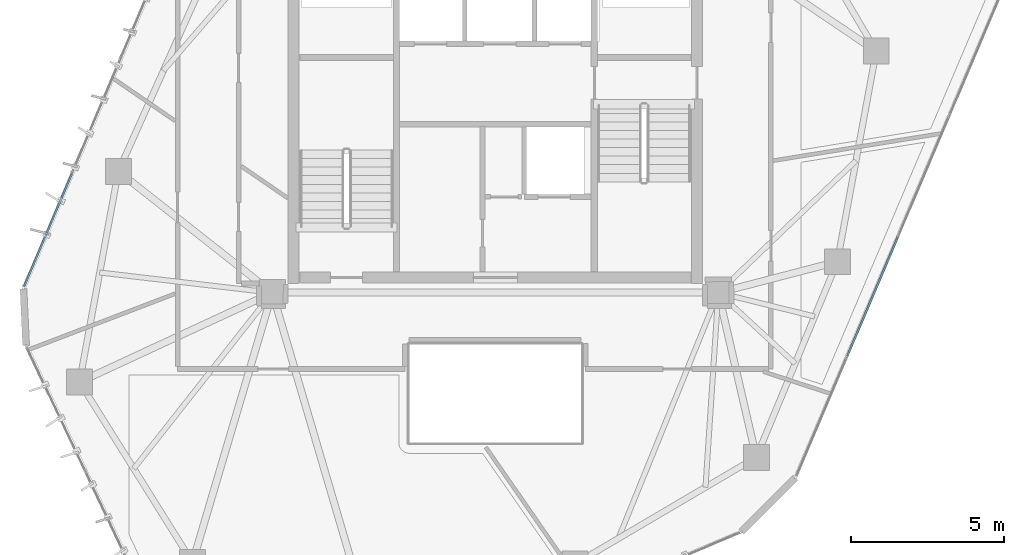
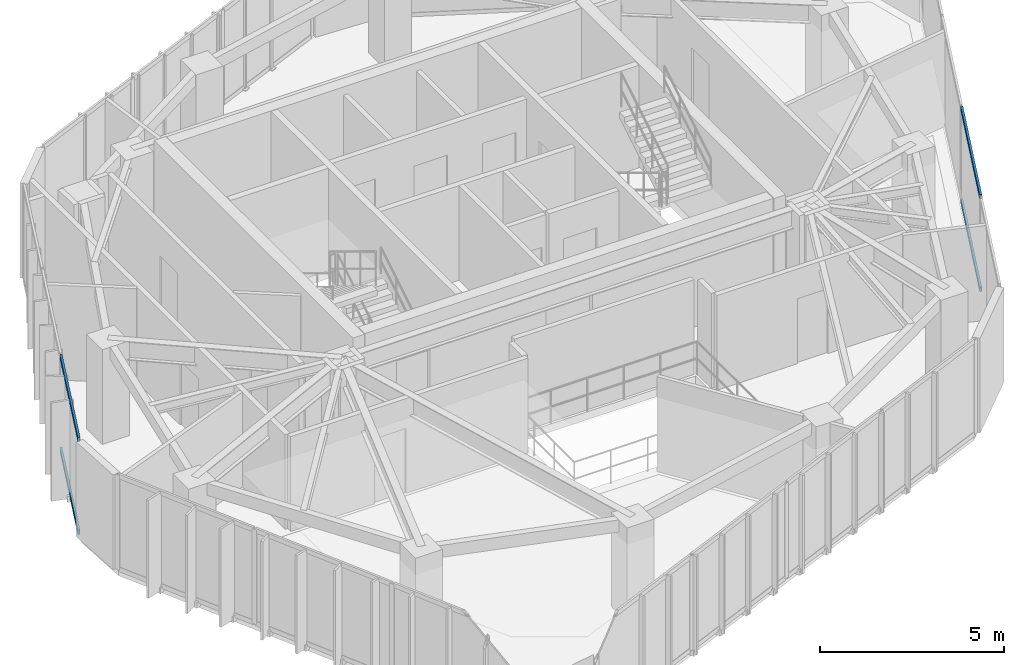
# One storey, part 7 of 20: 4 members, 2 elements without a shape of their own.
"""IFC4 building model written with IfcOpenShell, lengths in metres."""

import ifcopenshell
import ifcopenshell.guid

model = None  # the IFC model being written
_history = None  # IfcOwnerHistory: only IFC2X3 demands one
_inside = {}  # id of a spatial element -> (the spatial element, [elements in it])
_under = {}  # id of a project, library or spatial element -> (it, [spatial elements below it])
_declared = {}  # id of a project -> (the project, [libraries it declares])
_typed = {}  # id of a type object -> (the type object, [elements of that type])
_made_of = {}  # id of a material, layer set ... -> (it, [elements and type objects made of it])


def new_model(schema):
    """Start an empty IFC model of exactly this schema.

    Asked for "IFC4X3", IfcOpenShell would pick the latest addendum, in which some entities
    have other attributes; the version numbers below select the first issue.
    IFC2X3 requires an IfcOwnerHistory on every rooted entity: one is made here for all.
    """
    global model, _history
    if schema == "IFC4X3":
        model = ifcopenshell.file(schema_version=(4, 3, 0, 0))
    else:
        model = ifcopenshell.file(schema=schema)
    _inside.clear()
    _under.clear()
    _declared.clear()
    _typed.clear()
    _made_of.clear()
    _history = None
    if model.schema == "IFC2X3":
        org = make("IfcOrganization", Name="unknown")
        user = make(
            "IfcPersonAndOrganization",
            ThePerson=make("IfcPerson", FamilyName="unknown"),
            TheOrganization=org,
        )
        app = make(
            "IfcApplication",
            ApplicationDeveloper=org,
            Version="unknown",
            ApplicationFullName="unknown",
            ApplicationIdentifier="unknown",
        )
        _history = make(
            "IfcOwnerHistory",
            OwningUser=user,
            OwningApplication=app,
            ChangeAction="ADDED",
            CreationDate=0,
        )
    return model


def make(cls, **values):
    """One entity of the class cls with the attributes given. An attribute that is None is left unset."""
    return model.create_entity(
        cls, **{name: value for name, value in values.items() if value is not None}
    )


def rooted(cls, **values):
    """An entity with a GlobalId (a new one), such as an element, a storey or a relation."""
    return make(cls, GlobalId=ifcopenshell.guid.new(), OwnerHistory=_history, **values)


def si_unit(unit_type, name, prefix=None):
    """IfcSIUnit, for example si_unit("LENGTHUNIT", "METRE", prefix="MILLI")."""
    return make("IfcSIUnit", UnitType=unit_type, Prefix=prefix, Name=name)


def assignment(units):
    """IfcUnitAssignment: the units of a project."""
    return None if units is None else make("IfcUnitAssignment", Units=units)


def point(xyz):
    """IfcCartesianPoint."""
    return None if xyz is None else make("IfcCartesianPoint", Coordinates=xyz)


def direction(xyz):
    """IfcDirection."""
    return None if xyz is None else make("IfcDirection", DirectionRatios=xyz)


def frame(location, z_axis=None, x_axis=None):
    """IfcAxis2Placement3D, a coordinate frame: its origin and axes. An axis left out is left unset."""
    return make(
        "IfcAxis2Placement3D",
        Location=point(location),
        Axis=direction(z_axis),
        RefDirection=direction(x_axis),
    )


def frame_2d(location, x_axis=None):
    """IfcAxis2Placement2D, a coordinate frame in the plane: its origin and x axis."""
    return make(
        "IfcAxis2Placement2D", Location=point(location), RefDirection=direction(x_axis)
    )


def origin():
    """The frame at (0, 0, 0) with its axes left unset."""
    return frame((0.0, 0.0, 0.0))


def origin_2d():
    """The frame at (0, 0) in the plane with its x axis left unset."""
    return frame_2d((0.0, 0.0))


def place(relative_to, where):
    """IfcLocalPlacement: puts the frame where relative to a parent placement (None: the world)."""
    return make(
        "IfcLocalPlacement", PlacementRelTo=relative_to, RelativePlacement=where
    )


def context(
    kind, dimensions, precision=None, world=None, true_north=None, identifier=None
):
    """IfcGeometricRepresentationContext, for example the 3D "Model" context."""
    return make(
        "IfcGeometricRepresentationContext",
        ContextIdentifier=identifier,
        ContextType=kind,
        CoordinateSpaceDimension=dimensions,
        Precision=precision,
        WorldCoordinateSystem=world,
        TrueNorth=true_north,
    )


def subcontext(parent, identifier, kind, view, scale=None):
    """IfcGeometricRepresentationSubContext, for example "Body" below "Model"."""
    return make(
        "IfcGeometricRepresentationSubContext",
        ContextIdentifier=identifier,
        ContextType=kind,
        ParentContext=parent,
        TargetScale=scale,
        TargetView=view,
    )


def project(units=None, contexts=None):
    """IfcProject with its units and contexts."""
    return rooted(
        "IfcProject",
        Name="project",
        RepresentationContexts=contexts,
        UnitsInContext=assignment(units),
    )


def spatial(cls, under=None, at=None, **own):
    """A site, building, storey or space (cls), placed at a placement, below another one or the project."""
    s = rooted(cls, ObjectPlacement=at, **own)
    if under is not None:
        _under.setdefault(under.id(), (under, []))[1].append(s)
    return s


def profile(cls, at=None, kind="AREA", **sizes):
    """A parametric profile (cls). Its sizes go by their IFC names, for example OverallWidth=200.0."""
    return make(cls, ProfileType=kind, Position=at, **sizes)


def hollow_rectangle(**sizes):
    """IfcRectangleHollowProfileDef."""
    return profile("IfcRectangleHollowProfileDef", **sizes)


def extrude(swept, where, along, depth):
    """IfcExtrudedAreaSolid: the profile swept, set in the frame where, extruded along a direction by depth."""
    return make(
        "IfcExtrudedAreaSolid",
        SweptArea=swept,
        Position=where,
        ExtrudedDirection=direction(along),
        Depth=depth,
    )


def shape(context_of_items, identifier, shape_type, items):
    """IfcShapeRepresentation: the items that make up one representation, for example the "Body"."""
    return make(
        "IfcShapeRepresentation",
        ContextOfItems=context_of_items,
        RepresentationIdentifier=identifier,
        RepresentationType=shape_type,
        Items=items,
    )


def source(mapping_origin, context_of_items, identifier, shape_type, items):
    """IfcRepresentationMap: a shape defined once, which mapped items show again and again."""
    return make(
        "IfcRepresentationMap",
        MappingOrigin=mapping_origin,
        MappedRepresentation=shape(context_of_items, identifier, shape_type, items),
    )


def transform(
    local_origin,
    x_axis=None,
    y_axis=None,
    z_axis=None,
    scale=None,
    scale2=None,
    scale3=None,
    uniform=True,
):
    """IfcCartesianTransformationOperator3D, or its non-uniform kind. x_axis, y_axis, z_axis: its Axis1, 2, 3."""
    if uniform:
        return make(
            "IfcCartesianTransformationOperator3D",
            Axis1=direction(x_axis),
            Axis2=direction(y_axis),
            LocalOrigin=point(local_origin),
            Scale=scale,
            Axis3=direction(z_axis),
        )
    return make(
        "IfcCartesianTransformationOperator3DnonUniform",
        Axis1=direction(x_axis),
        Axis2=direction(y_axis),
        LocalOrigin=point(local_origin),
        Scale=scale,
        Axis3=direction(z_axis),
        Scale2=scale2,
        Scale3=scale3,
    )


def mapped(mapping_source, mapping_target):
    """IfcMappedItem: shows the shape of a source again, moved by a transform."""
    return make(
        "IfcMappedItem", MappingSource=mapping_source, MappingTarget=mapping_target
    )


def material(Name=None, Category=None):
    """IfcMaterial."""
    return make("IfcMaterial", Name=Name, Category=Category)


def layer(
    of_material, thickness, ventilated=None, Name=None, Category=None, Priority=None
):
    """IfcMaterialLayer: one layer of a wall or slab, of a material (None: an air gap)."""
    return make(
        "IfcMaterialLayer",
        Material=of_material,
        LayerThickness=thickness,
        IsVentilated=ventilated,
        Name=Name,
        Category=Category,
        Priority=Priority,
    )


def layer_set(layers, Name=None):
    """IfcMaterialLayerSet."""
    return make("IfcMaterialLayerSet", MaterialLayers=layers, LayerSetName=Name)


def material_profile(
    of_material, cross_section, Name=None, Category=None, Priority=None
):
    """IfcMaterialProfile: a cross section and its material."""
    return make(
        "IfcMaterialProfile",
        Name=Name,
        Material=of_material,
        Profile=cross_section,
        Priority=Priority,
        Category=Category,
    )


def profile_set(profiles, Name=None, composite=None):
    """IfcMaterialProfileSet."""
    return make(
        "IfcMaterialProfileSet",
        Name=Name,
        MaterialProfiles=profiles,
        CompositeProfile=composite,
    )


def made_of(thing, what):
    """Note that an element or type object is made of a material, layer set ...; save() writes the relation."""
    if what is not None:
        _made_of.setdefault(what.id(), (what, []))[1].append(thing)
    return thing


def type_object(cls, material=None, **own):
    """A type object (cls), such as IfcWallType, which elements share."""
    return made_of(rooted(cls, **own), material)


def type_shapes(of_type, sources):
    """Give a type object the sources (RepresentationMaps) that its elements show as mapped items."""
    of_type.RepresentationMaps = sources


def element(
    cls,
    number,
    at=None,
    inside=None,
    cuts=None,
    type_object=None,
    material=None,
    context=None,
    identifier="Body",
    shape_type=None,
    held_by="IfcProductDefinitionShape",
    body=None,
    shapes=None,
    **own,
):
    """One element of the class cls, such as IfcWall. Its Tag is "e" and its number.

    at: its placement. inside: the storey or other place that contains it. cuts: it is an
    opening in that element (IfcRelVoidsElement). A single representation is given by context,
    identifier, shape_type and body (its items); several are given by shapes. held_by: the class
    of the entity that holds the representations. save() writes the other relations.
    """
    e = rooted(cls, Tag="e%d" % number, ObjectPlacement=at, **own)
    if body is not None:
        shapes = [shape(context, identifier, shape_type, body)]
    if shapes is not None:
        e.Representation = make(held_by, Representations=shapes)
    if inside is not None:
        _inside.setdefault(inside.id(), (inside, []))[1].append(e)
    if cuts is not None:
        rooted(
            "IfcRelVoidsElement", RelatingBuildingElement=cuts, RelatedOpeningElement=e
        )
    if type_object is not None:
        _typed.setdefault(type_object.id(), (type_object, []))[1].append(e)
    return made_of(e, material)


def aggregate(whole, parts):
    """IfcRelAggregates: a whole, such as a stair, and the parts it consists of."""
    return rooted("IfcRelAggregates", RelatingObject=whole, RelatedObjects=parts)


def save(model, path):
    """Write the relations noted so far, then the file.

    IfcRelAggregates (storeys below a building ...), IfcRelContainedInSpatialStructure (elements
    in a storey), IfcRelDefinesByType, IfcRelAssociatesMaterial and IfcRelDeclares: one each for
    every whole, place, type object, material and project.
    """
    for whole, parts in _under.values():
        aggregate(whole, parts)
    for where, things in _inside.values():
        rooted(
            "IfcRelContainedInSpatialStructure",
            RelatedElements=things,
            RelatingStructure=where,
        )
    for kind, things in _typed.values():
        rooted("IfcRelDefinesByType", RelatedObjects=things, RelatingType=kind)
    for what, things in _made_of.values():
        rooted("IfcRelAssociatesMaterial", RelatedObjects=things, RelatingMaterial=what)
    for by, libraries in _declared.values():
        rooted("IfcRelDeclares", RelatingContext=by, RelatedDefinitions=libraries)
    model.write(path)


model = new_model("IFC4")

# Units and contexts
model_context = context("Model", 3, precision=1e-05, world=origin(), true_north=direction((0.0, 1.0)))
body_context = subcontext(model_context, "Body", "Model", "MODEL_VIEW")
ifc_project = project(units=[si_unit("LENGTHUNIT", "METRE"), si_unit("AREAUNIT", "SQUARE_METRE"), si_unit("VOLUMEUNIT", "CUBIC_METRE"), si_unit("PLANEANGLEUNIT", "RADIAN"), si_unit("MASSUNIT", "GRAM", prefix="KILO")], contexts=[model_context])

# Site, building, storey
site_placement = place(None, origin())
site = spatial("IfcSite", under=ifc_project, at=site_placement, CompositionType="ELEMENT")
building_placement = place(site_placement, origin())
building = spatial("IfcBuilding", under=site, at=building_placement, Name="Talar Marvaseh", CompositionType="ELEMENT")
storey_placement = place(building_placement, frame((0.0, 0.0, 274.800048828125)))
storey = spatial("IfcBuildingStorey", under=building, at=storey_placement, Name="L73", CompositionType="ELEMENT", Elevation=274.800048828125)

# Curtain wall, members
ifc_material = material(Name="Architectural Aluminium", Category="aluminium")
ifc_layer = layer(ifc_material, 0.179931640625)
ifc_layer_set = layer_set([ifc_layer], Name="Architectural Aluminium")
curtain_wall_type = type_object("IfcCurtainWallType", Name="Unitised High-Wind Sky Curtain Wall Z4", PredefinedType="NOTDEFINED", material=ifc_layer_set)
curtain_wall_1_placement = place(storey_placement, origin())
curtain_wall_1 = element("IfcCurtainWall", 1, at=curtain_wall_1_placement, inside=storey, type_object=curtain_wall_type, Name="L73 Unitised High-Wind Sky Curtain Wall Z4", PredefinedType="NOTDEFINED")
ifc_material_profile = material_profile(ifc_material, hollow_rectangle(XDim=0.06494140625, YDim=0.14990234375, WallThickness=0.00390625, at=origin_2d()), Name="RHS150x65x4")
ifc_profile_set = profile_set([ifc_material_profile], Name="Architectural Aluminium")
member_type = type_object("IfcMemberType", Name="Unitised Curtain Wall Slim Transom RHS150x65x4", PredefinedType="USERDEFINED", material=ifc_profile_set)
shared_shape_1 = source(origin(), body_context, "Body", "SweptSolid", [
    extrude(hollow_rectangle(XDim=0.06494140625, YDim=0.14990234375, WallThickness=0.00390625, at=origin_2d()), origin(), (0.0, 0.0, 1.0), 3.97119140625),
])
member_1_placement = place(storey_placement, frame((10.581298828125, 25.7158203125, 0.032470703125), z_axis=(0.389656035573, 0.920960462746, 0.0), x_axis=(-0.920960462746, 0.389656035573, 0.0)))
member_1 = element("IfcMember", 2, at=member_1_placement, type_object=member_type, Name="CW-Z4 transom 1.1", ObjectType="TRANSOM", PredefinedType="USERDEFINED", context=body_context, shape_type="MappedRepresentation", body=[
    mapped(shared_shape_1, transform((0.0, 0.0, 0.0), x_axis=(1.0, 0.0, 0.0), y_axis=(0.0, 1.0, 0.0), z_axis=(0.0, 0.0, 1.0), scale=1.0)),
])
member_2_placement = place(storey_placement, frame((10.581298828125, 25.7158203125, 3.107421875), z_axis=(0.389656035573, 0.920960462746, 0.0), x_axis=(-0.920960462746, 0.389656035573, 0.0)))
member_2 = element("IfcMember", 3, at=member_2_placement, type_object=member_type, Name="CW-Z4 transom 1.2", ObjectType="TRANSOM", PredefinedType="USERDEFINED", context=body_context, shape_type="MappedRepresentation", body=[
    mapped(shared_shape_1, transform((0.0, 0.0, 0.0), x_axis=(1.0, 0.0, 0.0), y_axis=(0.0, 1.0, 0.0), z_axis=(0.0, 0.0, 1.0), scale=1.0)),
])
aggregate(curtain_wall_1, [member_1, member_2])

curtain_wall_2_placement = place(storey_placement, origin())
curtain_wall_2 = element("IfcCurtainWall", 4, at=curtain_wall_2_placement, inside=storey, type_object=curtain_wall_type, Name="L73 Unitised High-Wind Sky Curtain Wall Z4", PredefinedType="NOTDEFINED")
shared_shape_2 = source(origin(), body_context, "Body", "SweptSolid", [
    extrude(hollow_rectangle(XDim=0.06494140625, YDim=0.14990234375, WallThickness=0.00390625, at=origin_2d()), origin(), (0.0, 0.0, 1.0), 4.221435546875),
])
type_shapes(member_type, [shared_shape_1, shared_shape_2])
member_3_placement = place(storey_placement, frame((39.178466796875, 27.321533203125, 0.032470703125), z_axis=(-0.390901819717, -0.920432380646, 0.0), x_axis=(0.920432380646, -0.390901819717, 0.0)))
member_3 = element("IfcMember", 5, at=member_3_placement, type_object=member_type, Name="CW-Z4 transom 3.1", ObjectType="TRANSOM", PredefinedType="USERDEFINED", context=body_context, shape_type="MappedRepresentation", body=[
    mapped(shared_shape_2, transform((0.0, 0.0, 0.0), x_axis=(1.0, 0.0, 0.0), y_axis=(0.0, 1.0, 0.0), z_axis=(0.0, 0.0, 1.0), scale=1.0)),
])
member_4_placement = place(storey_placement, frame((39.178466796875, 27.321533203125, 3.107421875), z_axis=(-0.390901819717, -0.920432380646, 0.0), x_axis=(0.920432380646, -0.390901819717, 0.0)))
member_4 = element("IfcMember", 6, at=member_4_placement, type_object=member_type, Name="CW-Z4 transom 3.2", ObjectType="TRANSOM", PredefinedType="USERDEFINED", context=body_context, shape_type="MappedRepresentation", body=[
    mapped(shared_shape_2, transform((0.0, 0.0, 0.0), x_axis=(1.0, 0.0, 0.0), y_axis=(0.0, 1.0, 0.0), z_axis=(0.0, 0.0, 1.0), scale=1.0)),
])
aggregate(curtain_wall_2, [member_3, member_4])

save(model, "model.ifc")
